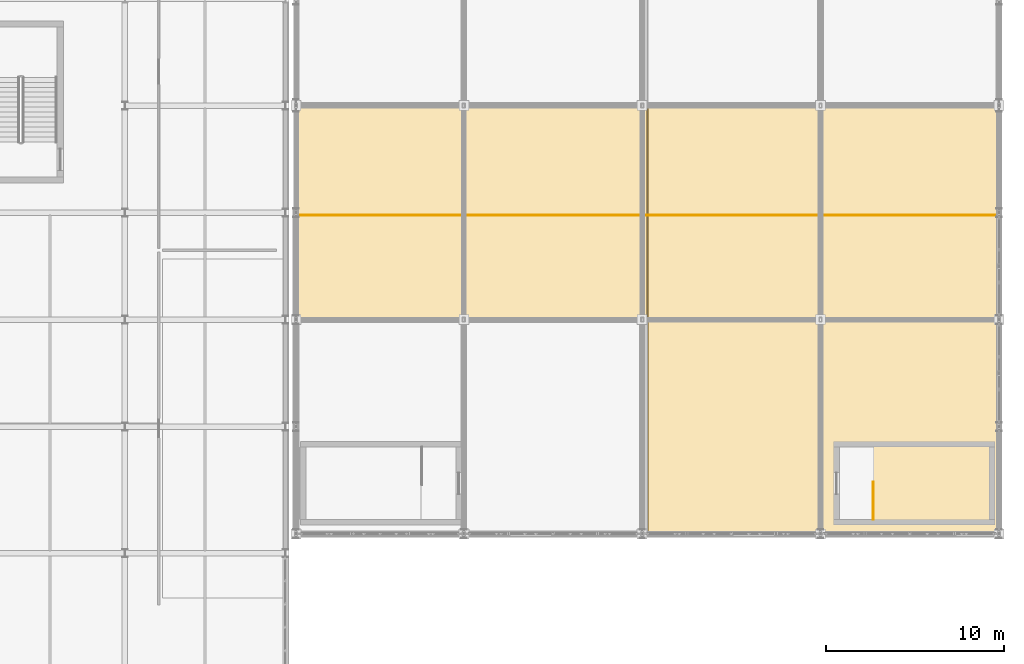
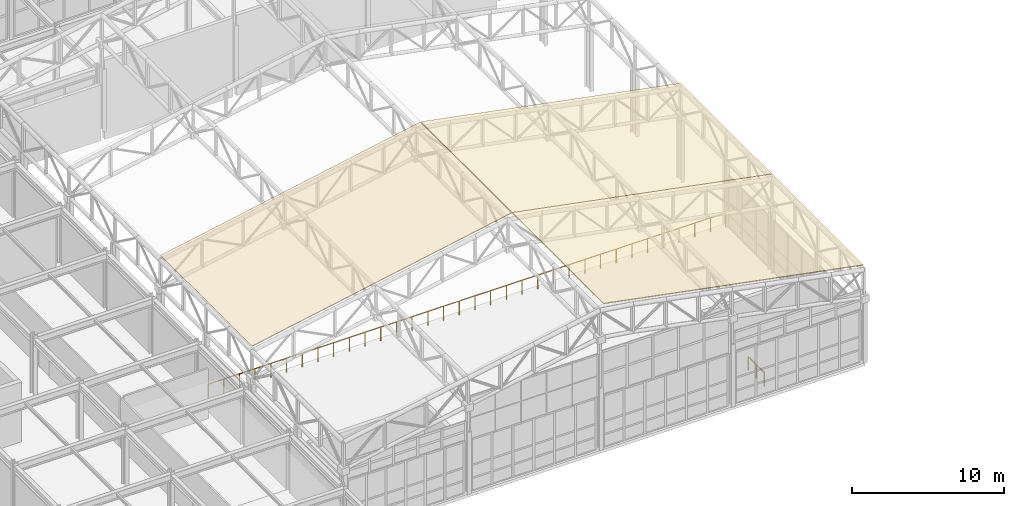
# One storey, part 110 of 112: 3 coverings, 2 railings.
"""IFC4 building model written with IfcOpenShell, lengths in metres."""

from ifc_helpers import new_model, si_unit, direction, frame, origin, origin_2d, place, context, subcontext, project, spatial, polyline, circle, outline, extrude, material, layer, layer_set, type_object, element, save


model = new_model("IFC4")

# Units and contexts
model_context = context("Model", 3, precision=1e-05, world=origin(), true_north=direction((0.0, 1.0)))
body_context = subcontext(model_context, "Body", "Model", "MODEL_VIEW")
ifc_project = project(units=[si_unit("LENGTHUNIT", "METRE"), si_unit("AREAUNIT", "SQUARE_METRE"), si_unit("VOLUMEUNIT", "CUBIC_METRE"), si_unit("PLANEANGLEUNIT", "RADIAN"), si_unit("MASSUNIT", "GRAM", prefix="KILO")], contexts=[model_context])

# Site, building, storey
site_placement = place(None, origin())
site = spatial("IfcSite", under=ifc_project, at=site_placement, CompositionType="ELEMENT")
building_placement = place(site_placement, origin())
building = spatial("IfcBuilding", under=site, at=building_placement, Name="Kaldris Quays Convention Centre", CompositionType="ELEMENT")
storey_placement = place(building_placement, frame((0.0, 0.0, 16.800048828125)))
storey = spatial("IfcBuildingStorey", under=building, at=storey_placement, Name="L03", CompositionType="ELEMENT", Elevation=16.800048828125)

# Coverings
ifc_material_1 = material(Name="Alabaster white star-pierced anodized aluminium panel", Category="aluminium")
ifc_layer = layer(ifc_material_1, 0.054931640625)
ifc_layer_set = layer_set([ifc_layer], Name="Alabaster white star-pierced anodized aluminium panel")
covering_type = type_object("IfcCoveringType", Name="ALABASTER WHITE STANDING SEAM ROOF SRF1", PredefinedType="ROOFING", material=ifc_layer_set)
covering_placement = place(storey_placement, frame((164.60009765625, 68.0, 7.73583984375), z_axis=(-0.189403212689, 0.0, 0.981899395571), x_axis=(0.981899395571, 0.0, 0.189403212689)))
element("IfcCovering", 1, at=covering_placement, inside=storey, type_object=covering_type, Name="Hall Alabaster White Standing-Seam Roof Panel 16", PredefinedType="ROOFING", context=body_context, shape_type="SweptSolid", body=[
    extrude(outline(polyline([(0.0, 0.0), (20.037495466685122, 0.0), (20.037495466685122, 12.0), (0.0, 12.0), (0.0, 0.0)])), origin(), (0.0, 0.0, -1.0), 0.054931640625),
])
for number, where, z_axis, x_axis, name in (
    (2, (184.324951171875, 56.0, 11.531005859375), (0.189400946762, 0.0, 0.981899832654), (0.981899832654, 0.0, -0.189400946762), "Hall Alabaster White Standing-Seam Roof Panel 19"),
    (3, (184.324951171875, 68.0, 11.531005859375), (0.189400946762, 0.0, 0.981899832654), (0.981899832654, 0.0, -0.189400946762), "Hall Alabaster White Standing-Seam Roof Panel 20"),
):
    element("IfcCovering", number, at=place(storey_placement, frame(where, z_axis=z_axis, x_axis=x_axis)), inside=storey, type_object=covering_type, Name=name, PredefinedType="ROOFING", context=body_context, shape_type="SweptSolid", body=[
        extrude(outline(polyline([(0.0, 0.0), (20.037735188270602, 0.0), (20.037735188270602, 12.0), (0.0, 12.0), (0.0, 0.0)])), origin(), (0.0, 0.0, -1.0), 0.054931640625),
    ])

# Railings
ifc_material_2 = material(Name="Stainless steel 1.4401", Category="steel")
railing_type_1 = type_object("IfcRailingType", Name="INTERIOR BALUSTRADE BL02", PredefinedType="BALUSTRADE", material=ifc_material_2)
railing_1_placement = place(storey_placement, frame((164.64990234375, 73.85009765625, 0.0)))
element("IfcRailing", 4, at=railing_1_placement, inside=storey, type_object=railing_type_1, Name="L03 Gallery Balustrade GRD-V2-L03", PredefinedType="BALUSTRADE", context=body_context, shape_type="SweptSolid", body=[
    extrude(circle(Radius=0.02392578125, at=origin_2d()), frame((0.0, 0.0, 1.11572265625), z_axis=(1.0, 0.0, 0.0), x_axis=(0.0, 1.0, 0.0)), (0.0, 0.0, 1.0), 39.25),
    extrude(circle(Radius=0.02099609375, at=origin_2d()), origin(), (0.0, 0.0, 1.0), 1.091796875),
    extrude(circle(Radius=0.02099609375, at=origin_2d()), frame((1.189453125, 0.0, 0.0)), (0.0, 0.0, 1.0), 1.091796875),
    extrude(circle(Radius=0.02099609375, at=origin_2d()), frame((2.37890625, 0.0, 0.0)), (0.0, 0.0, 1.0), 1.091796875),
    extrude(circle(Radius=0.02099609375, at=origin_2d()), frame((3.568115234375, 0.0, 0.0)), (0.0, 0.0, 1.0), 1.091796875),
    extrude(circle(Radius=0.02099609375, at=origin_2d()), frame((4.757568359375, 0.0, 0.0)), (0.0, 0.0, 1.0), 1.091796875),
    extrude(circle(Radius=0.02099609375, at=origin_2d()), frame((5.947021484375, 0.0, 0.0)), (0.0, 0.0, 1.0), 1.091796875),
    extrude(circle(Radius=0.02099609375, at=origin_2d()), frame((7.136474609375, 0.0, 0.0)), (0.0, 0.0, 1.0), 1.091796875),
    extrude(circle(Radius=0.02099609375, at=origin_2d()), frame((8.32568359375, 0.0, 0.0)), (0.0, 0.0, 1.0), 1.091796875),
    extrude(circle(Radius=0.02099609375, at=origin_2d()), frame((9.51513671875, 0.0, 0.0)), (0.0, 0.0, 1.0), 1.091796875),
    extrude(circle(Radius=0.02099609375, at=origin_2d()), frame((10.70458984375, 0.0, 0.0)), (0.0, 0.0, 1.0), 1.091796875),
    extrude(circle(Radius=0.02099609375, at=origin_2d()), frame((11.89404296875, 0.0, 0.0)), (0.0, 0.0, 1.0), 1.091796875),
    extrude(circle(Radius=0.02099609375, at=origin_2d()), frame((13.083251953125, 0.0, 0.0)), (0.0, 0.0, 1.0), 1.091796875),
    extrude(circle(Radius=0.02099609375, at=origin_2d()), frame((14.272705078125, 0.0, 0.0)), (0.0, 0.0, 1.0), 1.091796875),
    extrude(circle(Radius=0.02099609375, at=origin_2d()), frame((15.462158203125, 0.0, 0.0)), (0.0, 0.0, 1.0), 1.091796875),
    extrude(circle(Radius=0.02099609375, at=origin_2d()), frame((16.651611328125, 0.0, 0.0)), (0.0, 0.0, 1.0), 1.091796875),
    extrude(circle(Radius=0.02099609375, at=origin_2d()), frame((17.8408203125, 0.0, 0.0)), (0.0, 0.0, 1.0), 1.091796875),
    extrude(circle(Radius=0.02099609375, at=origin_2d()), frame((19.0302734375, 0.0, 0.0)), (0.0, 0.0, 1.0), 1.091796875),
    extrude(circle(Radius=0.02099609375, at=origin_2d()), frame((20.2197265625, 0.0, 0.0)), (0.0, 0.0, 1.0), 1.091796875),
    extrude(circle(Radius=0.02099609375, at=origin_2d()), frame((21.4091796875, 0.0, 0.0)), (0.0, 0.0, 1.0), 1.091796875),
    extrude(circle(Radius=0.02099609375, at=origin_2d()), frame((22.598388671875, 0.0, 0.0)), (0.0, 0.0, 1.0), 1.091796875),
    extrude(circle(Radius=0.02099609375, at=origin_2d()), frame((23.787841796875, 0.0, 0.0)), (0.0, 0.0, 1.0), 1.091796875),
    extrude(circle(Radius=0.02099609375, at=origin_2d()), frame((24.977294921875, 0.0, 0.0)), (0.0, 0.0, 1.0), 1.091796875),
    extrude(circle(Radius=0.02099609375, at=origin_2d()), frame((26.166748046875, 0.0, 0.0)), (0.0, 0.0, 1.0), 1.091796875),
    extrude(circle(Radius=0.02099609375, at=origin_2d()), frame((27.35595703125, 0.0, 0.0)), (0.0, 0.0, 1.0), 1.091796875),
    extrude(circle(Radius=0.02099609375, at=origin_2d()), frame((28.54541015625, 0.0, 0.0)), (0.0, 0.0, 1.0), 1.091796875),
    extrude(circle(Radius=0.02099609375, at=origin_2d()), frame((29.73486328125, 0.0, 0.0)), (0.0, 0.0, 1.0), 1.091796875),
    extrude(circle(Radius=0.02099609375, at=origin_2d()), frame((30.92431640625, 0.0, 0.0)), (0.0, 0.0, 1.0), 1.091796875),
    extrude(circle(Radius=0.02099609375, at=origin_2d()), frame((32.113525390625, 0.0, 0.0)), (0.0, 0.0, 1.0), 1.091796875),
    extrude(circle(Radius=0.02099609375, at=origin_2d()), frame((33.302978515625, 0.0, 0.0)), (0.0, 0.0, 1.0), 1.091796875),
    extrude(circle(Radius=0.02099609375, at=origin_2d()), frame((34.492431640625, 0.0, 0.0)), (0.0, 0.0, 1.0), 1.091796875),
    extrude(circle(Radius=0.02099609375, at=origin_2d()), frame((35.681884765625, 0.0, 0.0)), (0.0, 0.0, 1.0), 1.091796875),
    extrude(circle(Radius=0.02099609375, at=origin_2d()), frame((36.87109375, 0.0, 0.0)), (0.0, 0.0, 1.0), 1.091796875),
    extrude(circle(Radius=0.02099609375, at=origin_2d()), frame((38.060546875, 0.0, 0.0)), (0.0, 0.0, 1.0), 1.091796875),
    extrude(circle(Radius=0.02099609375, at=origin_2d()), frame((39.25, 0.0, 0.0)), (0.0, 0.0, 1.0), 1.091796875),
])
ifc_material_3 = material(Name="Steel S355J2", Category="steel")
railing_type_2 = type_object("IfcRailingType", Name="INTERIOR GUARDRAIL GR01", PredefinedType="GUARDRAIL", material=ifc_material_3)
railing_2_placement = place(storey_placement, frame((196.949951171875, 56.800048828125, 0.0)))
element("IfcRailing", 5, at=railing_2_placement, inside=storey, type_object=railing_type_2, Name="L03 ST09 Top Well Guardrail 1", PredefinedType="GUARDRAIL", context=body_context, shape_type="SweptSolid", body=[
    extrude(circle(Radius=0.02392578125, at=origin_2d()), frame((0.0, 0.0, 1.076171875), z_axis=(0.0, 1.0, 0.0), x_axis=(-1.0, 0.0, 0.0)), (0.0, 0.0, 1.0), 2.099853515625),
    extrude(circle(Radius=0.02099609375, at=origin_2d()), origin(), (0.0, 0.0, 1.0), 1.052001953125),
    extrude(circle(Radius=0.02099609375, at=origin_2d()), frame((0.0, 1.0498046875, 0.0)), (0.0, 0.0, 1.0), 1.052001953125),
    extrude(circle(Radius=0.02099609375, at=origin_2d()), frame((0.0, 2.099853515625, 0.0)), (0.0, 0.0, 1.0), 1.052001953125),
])

save(model, "model.ifc")
